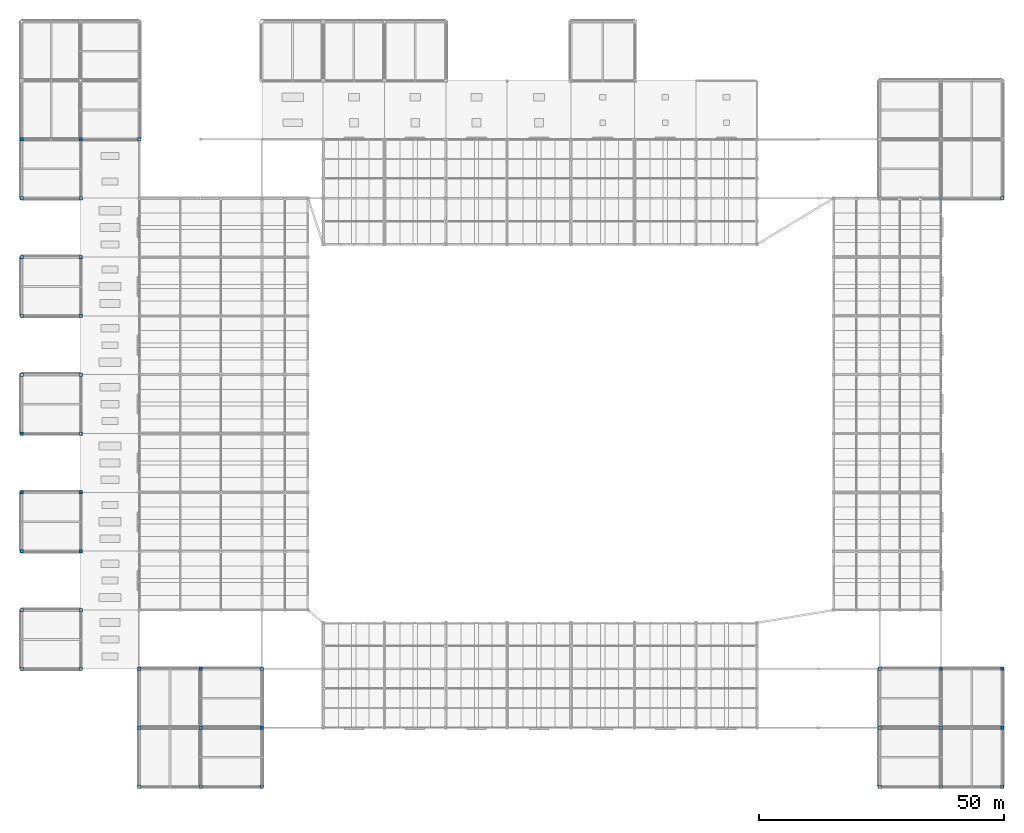
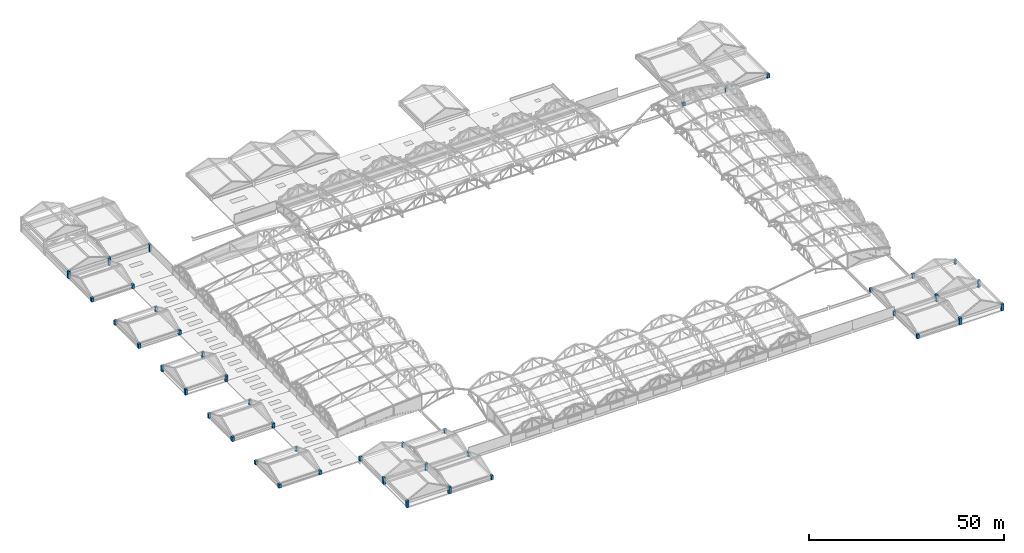
# One storey, part 1 of 117: 42 columns.
"""IFC4 building model written with IfcOpenShell, lengths in metres."""

from ifc_helpers import new_model, si_unit, direction, frame, origin, origin_2d, place, context, subcontext, project, spatial, rectangle, extrude, material, material_profile, profile_set, type_object, element, save


model = new_model("IFC4")

# Units and contexts
model_context = context("Model", 3, precision=1e-05, world=origin(), true_north=direction((0.0, 1.0)))
body_context = subcontext(model_context, "Body", "Model", "MODEL_VIEW")
ifc_project = project(units=[si_unit("LENGTHUNIT", "METRE"), si_unit("AREAUNIT", "SQUARE_METRE"), si_unit("VOLUMEUNIT", "CUBIC_METRE"), si_unit("PLANEANGLEUNIT", "RADIAN"), si_unit("MASSUNIT", "GRAM", prefix="KILO")], contexts=[model_context])

# Site, building, storey
site_placement = place(None, origin())
site = spatial("IfcSite", under=ifc_project, at=site_placement, CompositionType="ELEMENT")
building_placement = place(site_placement, origin())
building = spatial("IfcBuilding", under=site, at=building_placement, Name="Kazenohara Klinker Stadium", CompositionType="ELEMENT")
storey_placement = place(building_placement, frame((0.0, 0.0, 31.199951171875)))
storey = spatial("IfcBuildingStorey", under=building, at=storey_placement, Name="RF", CompositionType="ELEMENT", Elevation=31.199951171875)

# Columns
ifc_material = material(Name="Concrete C40/50", Category="concrete")
ifc_material_profile = material_profile(ifc_material, rectangle(XDim=0.699951171875, YDim=0.699951171875, at=origin_2d()), Name="RC-COL-700x700")
ifc_profile_set = profile_set([ifc_material_profile], Name="Concrete C40/50")
column_type = type_object("IfcColumnType", Name="COL-RC06", PredefinedType="COLUMN", material=ifc_profile_set)
for number, where, z_axis, x_axis, name in (
    (1, (0.0, 144.0, 0.0), (0.0, 0.0, 1.0), (1.0, 0.0, 0.0), "Turret crown column C06 RF 1/N"),
    (2, (12.0, 144.0, 0.0), (0.0, 0.0, 1.0), (1.0, 0.0, 0.0), "Turret crown column C06 RF 2/N"),
    (3, (24.0, 144.0, 0.0), (0.0, 0.0, 1.0), (1.0, 0.0, 0.0), "Turret crown column C06 RF 3/N"),
):
    element("IfcColumn", number, at=place(storey_placement, frame(where, z_axis=z_axis, x_axis=x_axis)), inside=storey, type_object=column_type, Name=name, PredefinedType="COLUMN", context=body_context, shape_type="SweptSolid", body=[
        extrude(rectangle(XDim=0.699951171875, YDim=0.699951171875, at=origin_2d()), origin(), (0.0, 0.0, 1.0), 2.300048828125),
    ])
for number, where, z_axis, x_axis, name in (
    (4, (24.0, 12.0, 0.0), (0.0, 0.0, 1.0), (1.0, 0.0, 0.0), "Turret crown column C06 RF 3/B"),
    (5, (24.0, 24.0, 0.0), (0.0, 0.0, 1.0), (1.0, 0.0, 0.0), "Turret crown column C06 RF 3/C"),
    (6, (36.5, 12.0, 0.0), (0.0, 0.0, 1.0), (1.0, 0.0, 0.0), "Turret crown column C06 RF 4/B"),
    (7, (36.5, 24.0, 0.0), (0.0, 0.0, 1.0), (1.0, 0.0, 0.0), "Turret crown column C06 RF 4/C"),
):
    element("IfcColumn", number, at=place(storey_placement, frame(where, z_axis=z_axis, x_axis=x_axis)), inside=storey, type_object=column_type, Name=name, PredefinedType="COLUMN", context=body_context, shape_type="SweptSolid", body=[
        extrude(rectangle(XDim=0.699951171875, YDim=0.699951171875, at=origin_2d()), origin(), (0.0, 0.0, 1.0), 2.10009765625),
    ])
for number, where, z_axis, x_axis, name in (
    (8, (49.0, 12.0, 0.0), (0.0, 0.0, 1.0), (1.0, 0.0, 0.0), "Turret crown column C06 RF 5/B"),
    (9, (49.0, 24.0, 0.0), (0.0, 0.0, 1.0), (1.0, 0.0, 0.0), "Turret crown column C06 RF 5/C"),
    (10, (24.0, 36.0, 0.0), (0.0, 0.0, 1.0), (1.0, 0.0, 0.0), "Turret crown column C06 RF 3/D"),
    (11, (36.5, 36.0, 0.0), (0.0, 0.0, 1.0), (1.0, 0.0, 0.0), "Turret crown column C06 RF 4/D"),
):
    element("IfcColumn", number, at=place(storey_placement, frame(where, z_axis=z_axis, x_axis=x_axis)), inside=storey, type_object=column_type, Name=name, PredefinedType="COLUMN", context=body_context, shape_type="SweptSolid", body=[
        extrude(rectangle(XDim=0.699951171875, YDim=0.699951171875, at=origin_2d()), origin(), (0.0, 0.0, 1.0), 1.300048828125),
    ])
column_1_placement = place(storey_placement, frame((49.0, 36.0, 0.0), z_axis=(0.0, 0.0, 1.0), x_axis=(1.0, 0.0, 0.0)))
element("IfcColumn", 12, at=column_1_placement, inside=storey, type_object=column_type, Name="Turret crown column C06 RF 5/D", PredefinedType="COLUMN", context=body_context, shape_type="SweptSolid", body=[
    extrude(rectangle(XDim=0.699951171875, YDim=0.699951171875, at=origin_2d()), origin(), (0.0, 0.0, 1.0), 1.10009765625),
])
for number, where, z_axis, x_axis, name in (
    (13, (187.5, 132.0, 0.0), (0.0, 0.0, 1.0), (1.0, 0.0, 0.0), "Turret crown column C06 RF 16/M"),
    (14, (200.0, 132.0, 0.0), (0.0, 0.0, 1.0), (1.0, 0.0, 0.0), "Turret crown column C06 RF 17/M"),
):
    element("IfcColumn", number, at=place(storey_placement, frame(where, z_axis=z_axis, x_axis=x_axis)), inside=storey, type_object=column_type, Name=name, PredefinedType="COLUMN", context=body_context, shape_type="SweptSolid", body=[
        extrude(rectangle(XDim=0.699951171875, YDim=0.699951171875, at=origin_2d()), origin(), (0.0, 0.0, 1.0), 1.300048828125),
    ])
column_2_placement = place(storey_placement, frame((175.0, 132.0, 0.0), z_axis=(0.0, 0.0, 1.0), x_axis=(1.0, 0.0, 0.0)))
element("IfcColumn", 15, at=column_2_placement, inside=storey, type_object=column_type, Name="Turret crown column C06 RF 15/M", PredefinedType="COLUMN", context=body_context, shape_type="SweptSolid", body=[
    extrude(rectangle(XDim=0.699951171875, YDim=0.699951171875, at=origin_2d()), origin(), (0.0, 0.0, 1.0), 1.10009765625),
])
for number, where, z_axis, x_axis, name in (
    (16, (187.5, 12.0, 0.0), (0.0, 0.0, 1.0), (1.0, 0.0, 0.0), "Turret crown column C06 RF 16/B"),
    (17, (187.5, 24.0, 0.0), (0.0, 0.0, 1.0), (1.0, 0.0, 0.0), "Turret crown column C06 RF 16/C"),
    (18, (200.0, 12.0, 0.0), (0.0, 0.0, 1.0), (1.0, 0.0, 0.0), "Turret crown column C06 RF 17/B"),
    (19, (200.0, 24.0, 0.0), (0.0, 0.0, 1.0), (1.0, 0.0, 0.0), "Turret crown column C06 RF 17/C"),
):
    element("IfcColumn", number, at=place(storey_placement, frame(where, z_axis=z_axis, x_axis=x_axis)), inside=storey, type_object=column_type, Name=name, PredefinedType="COLUMN", context=body_context, shape_type="SweptSolid", body=[
        extrude(rectangle(XDim=0.699951171875, YDim=0.699951171875, at=origin_2d()), origin(), (0.0, 0.0, 1.0), 2.10009765625),
    ])
for number, where, z_axis, x_axis, name in (
    (20, (175.0, 12.0, 0.0), (0.0, 0.0, 1.0), (1.0, 0.0, 0.0), "Turret crown column C06 RF 15/B"),
    (21, (175.0, 24.0, 0.0), (0.0, 0.0, 1.0), (1.0, 0.0, 0.0), "Turret crown column C06 RF 15/C"),
    (22, (187.5, 36.0, 0.0), (0.0, 0.0, 1.0), (1.0, 0.0, 0.0), "Turret crown column C06 RF 16/D"),
    (23, (200.0, 36.0, 0.0), (0.0, 0.0, 1.0), (1.0, 0.0, 0.0), "Turret crown column C06 RF 17/D"),
):
    element("IfcColumn", number, at=place(storey_placement, frame(where, z_axis=z_axis, x_axis=x_axis)), inside=storey, type_object=column_type, Name=name, PredefinedType="COLUMN", context=body_context, shape_type="SweptSolid", body=[
        extrude(rectangle(XDim=0.699951171875, YDim=0.699951171875, at=origin_2d()), origin(), (0.0, 0.0, 1.0), 1.300048828125),
    ])
column_3_placement = place(storey_placement, frame((175.0, 36.0, 0.0), z_axis=(0.0, 0.0, 1.0), x_axis=(1.0, 0.0, 0.0)))
element("IfcColumn", 24, at=column_3_placement, inside=storey, type_object=column_type, Name="Turret crown column C06 RF 15/D", PredefinedType="COLUMN", context=body_context, shape_type="SweptSolid", body=[
    extrude(rectangle(XDim=0.699951171875, YDim=0.699951171875, at=origin_2d()), origin(), (0.0, 0.0, 1.0), 1.10009765625),
])
for number, where, z_axis, x_axis, name in (
    (25, (0.0, 36.0, 0.0), (0.0, 0.0, 1.0), (1.0, 0.0, 0.0), "Turret crown column C06 RF 1/D"),
    (26, (0.0, 48.0, 0.0), (0.0, 0.0, 1.0), (1.0, 0.0, 0.0), "Turret crown column C06 RF 1/E"),
    (27, (12.0, 36.0, 0.0), (0.0, 0.0, 1.0), (1.0, 0.0, 0.0), "Turret crown column C06 RF 2/D"),
    (28, (12.0, 48.0, 0.0), (0.0, 0.0, 1.0), (1.0, 0.0, 0.0), "Turret crown column C06 RF 2/E"),
):
    element("IfcColumn", number, at=place(storey_placement, frame(where, z_axis=z_axis, x_axis=x_axis)), inside=storey, type_object=column_type, Name=name, PredefinedType="COLUMN", context=body_context, shape_type="SweptSolid", body=[
        extrude(rectangle(XDim=0.699951171875, YDim=0.699951171875, at=origin_2d()), origin(), (0.0, 0.0, 1.0), 1.199951171875),
    ])
for number, where, z_axis, x_axis, name in (
    (29, (0.0, 60.0, 0.0), (0.0, 0.0, 1.0), (1.0, 0.0, 0.0), "Turret crown column C06 RF 1/F"),
    (30, (0.0, 72.0, 0.0), (0.0, 0.0, 1.0), (1.0, 0.0, 0.0), "Turret crown column C06 RF 1/G"),
    (31, (12.0, 60.0, 0.0), (0.0, 0.0, 1.0), (1.0, 0.0, 0.0), "Turret crown column C06 RF 2/F"),
    (32, (12.0, 72.0, 0.0), (0.0, 0.0, 1.0), (1.0, 0.0, 0.0), "Turret crown column C06 RF 2/G"),
):
    element("IfcColumn", number, at=place(storey_placement, frame(where, z_axis=z_axis, x_axis=x_axis)), inside=storey, type_object=column_type, Name=name, PredefinedType="COLUMN", context=body_context, shape_type="SweptSolid", body=[
        extrude(rectangle(XDim=0.699951171875, YDim=0.699951171875, at=origin_2d()), origin(), (0.0, 0.0, 1.0), 1.400146484375),
    ])
for number, where, z_axis, x_axis, name in (
    (33, (0.0, 84.0, 0.0), (0.0, 0.0, 1.0), (1.0, 0.0, 0.0), "Turret crown column C06 RF 1/H"),
    (34, (0.0, 96.0, 0.0), (0.0, 0.0, 1.0), (1.0, 0.0, 0.0), "Turret crown column C06 RF 1/J"),
    (35, (12.0, 84.0, 0.0), (0.0, 0.0, 1.0), (1.0, 0.0, 0.0), "Turret crown column C06 RF 2/H"),
    (36, (12.0, 96.0, 0.0), (0.0, 0.0, 1.0), (1.0, 0.0, 0.0), "Turret crown column C06 RF 2/J"),
):
    element("IfcColumn", number, at=place(storey_placement, frame(where, z_axis=z_axis, x_axis=x_axis)), inside=storey, type_object=column_type, Name=name, PredefinedType="COLUMN", context=body_context, shape_type="SweptSolid", body=[
        extrude(rectangle(XDim=0.699951171875, YDim=0.699951171875, at=origin_2d()), origin(), (0.0, 0.0, 1.0), 1.800048828125),
    ])
for number, where, z_axis, x_axis, name in (
    (37, (0.0, 108.0, 0.0), (0.0, 0.0, 1.0), (1.0, 0.0, 0.0), "Turret crown column C06 RF 1/K"),
    (38, (0.0, 120.0, 0.0), (0.0, 0.0, 1.0), (1.0, 0.0, 0.0), "Turret crown column C06 RF 1/L"),
    (39, (12.0, 108.0, 0.0), (0.0, 0.0, 1.0), (1.0, 0.0, 0.0), "Turret crown column C06 RF 2/K"),
    (40, (12.0, 120.0, 0.0), (0.0, 0.0, 1.0), (1.0, 0.0, 0.0), "Turret crown column C06 RF 2/L"),
):
    element("IfcColumn", number, at=place(storey_placement, frame(where, z_axis=z_axis, x_axis=x_axis)), inside=storey, type_object=column_type, Name=name, PredefinedType="COLUMN", context=body_context, shape_type="SweptSolid", body=[
        extrude(rectangle(XDim=0.699951171875, YDim=0.699951171875, at=origin_2d()), origin(), (0.0, 0.0, 1.0), 1.400146484375),
    ])
for number, where, z_axis, x_axis, name in (
    (41, (0.0, 132.0, 0.0), (0.0, 0.0, 1.0), (1.0, 0.0, 0.0), "Turret crown column C06 RF 1/M"),
    (42, (12.0, 132.0, 0.0), (0.0, 0.0, 1.0), (1.0, 0.0, 0.0), "Turret crown column C06 RF 2/M"),
):
    element("IfcColumn", number, at=place(storey_placement, frame(where, z_axis=z_axis, x_axis=x_axis)), inside=storey, type_object=column_type, Name=name, PredefinedType="COLUMN", context=body_context, shape_type="SweptSolid", body=[
        extrude(rectangle(XDim=0.699951171875, YDim=0.699951171875, at=origin_2d()), origin(), (0.0, 0.0, 1.0), 1.199951171875),
    ])

save(model, "model.ifc")
